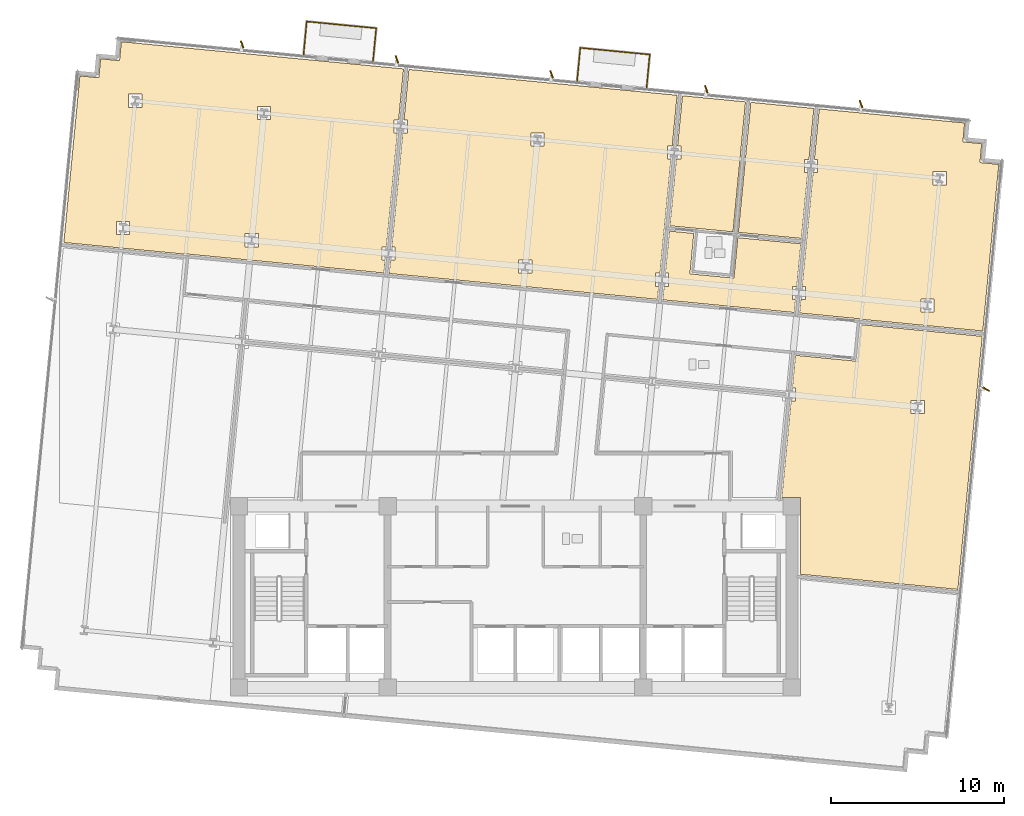
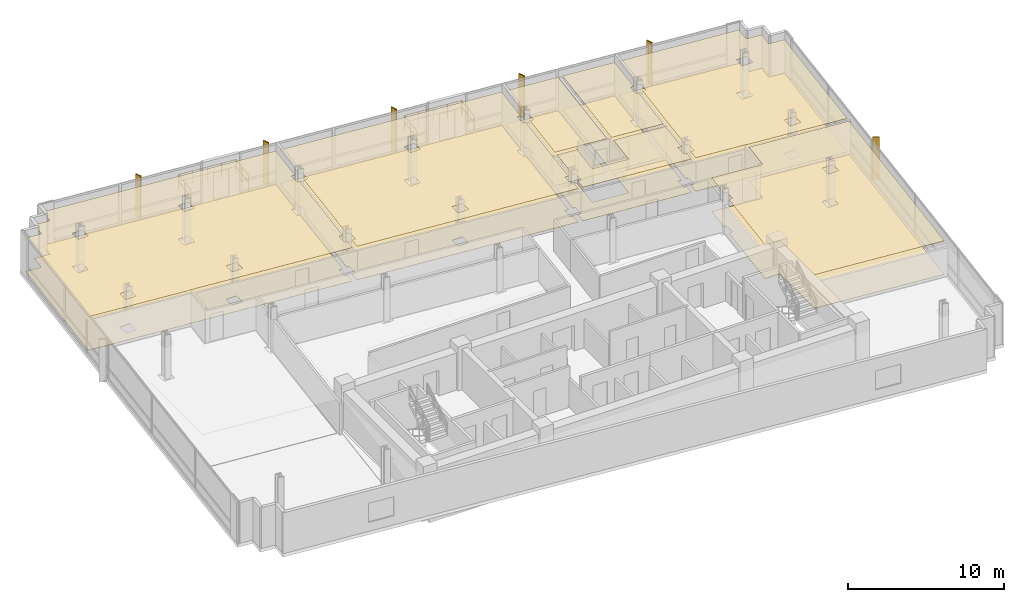
# One storey, part 15 of 16: 14 coverings, 6 railings, 6 shading devices.
"""IFC4 building model written with IfcOpenShell, lengths in metres."""

from ifc_helpers import new_model, si_unit, direction, frame, origin, origin_2d, place, context, subcontext, project, spatial, polyline, rectangle, circle, outline, extrude, material, layer, layer_set, type_object, element, save


model = new_model("IFC4")

# Units and contexts
model_context = context("Model", 3, precision=1e-05, world=origin(), true_north=direction((0.0, 1.0)))
body_context = subcontext(model_context, "Body", "Model", "MODEL_VIEW")
ifc_project = project(units=[si_unit("LENGTHUNIT", "METRE"), si_unit("AREAUNIT", "SQUARE_METRE"), si_unit("VOLUMEUNIT", "CUBIC_METRE"), si_unit("PLANEANGLEUNIT", "RADIAN"), si_unit("MASSUNIT", "GRAM", prefix="KILO")], contexts=[model_context])

# Site, building, storey
site_placement = place(None, origin())
site = spatial("IfcSite", under=ifc_project, at=site_placement, CompositionType="ELEMENT")
building_placement = place(site_placement, origin())
building = spatial("IfcBuilding", under=site, at=building_placement, Name="Solmavex Isthmus Hotel", CompositionType="ELEMENT")
storey_placement = place(building_placement, frame((0.0, 0.0, 166.949951171875)))
storey = spatial("IfcBuildingStorey", under=building, at=storey_placement, Name="L45", CompositionType="ELEMENT", Elevation=166.949951171875)

# Coverings
ifc_material_1 = material(Name="Gypsum plasterboard lining", Category="gypsum")
ifc_layer_1 = layer(ifc_material_1, 0.030029296875)
ifc_layer_set_1 = layer_set([ifc_layer_1], Name="Gypsum plasterboard lining")
covering_type_1 = type_object("IfcCoveringType", Name="COV-CEIL-GYP", PredefinedType="CEILING", material=ifc_layer_set_1)
covering_1_placement = place(storey_placement, frame((0.0, 0.0, 2.6201171875)))
element("IfcCovering", 1, at=covering_1_placement, inside=storey, type_object=covering_type_1, Name="Suspended Acoustic Ceiling L45-RM01", PredefinedType="CEILING", context=body_context, shape_type="SweptSolid", body=[
    extrude(outline(polyline([(-19.121337890625, 12.088623046875), (-19.119384765625, 12.1083984375), (-7.61669921875, 11.000732421875), (-7.544189453125, 11.753662109375), (-7.73193359375, 11.753662109375), (-7.73193359375, 12.513671875), (-7.470947265625, 12.513671875), (-6.835693359375, 19.111572265625), (-7.0234375, 19.111572265625), (-7.0234375, 19.87158203125), (-6.762451171875, 19.87158203125), (-6.47900390625, 22.816162109375), (-21.99609375, 24.310302734375), (-22.8173828125, 24.389404296875), (-22.9228515625, 23.29443359375), (-24.017822265625, 23.39990234375), (-24.123291015625, 22.304931640625), (-25.218017578125, 22.410400390625), (-25.297119140625, 21.589111328125), (-26.14697265625, 12.764892578125), (-19.121337890625, 12.088623046875)]), holes=[polyline([(-14.942626953125, 19.874267578125), (-14.942626953125, 20.63427734375), (-14.1826171875, 20.63427734375), (-14.1826171875, 19.874267578125), (-14.942626953125, 19.874267578125)]), polyline([(-15.651123046875, 12.51611328125), (-15.651123046875, 13.276123046875), (-14.89111328125, 13.276123046875), (-14.89111328125, 12.51611328125), (-15.651123046875, 12.51611328125)]), polyline([(-22.396240234375, 20.591796875), (-22.396240234375, 21.351806640625), (-21.63623046875, 21.351806640625), (-21.63623046875, 20.591796875), (-22.396240234375, 20.591796875)]), polyline([(-23.104736328125, 13.23388671875), (-23.104736328125, 13.993896484375), (-22.3447265625, 13.993896484375), (-22.3447265625, 13.23388671875), (-23.104736328125, 13.23388671875)])]), origin(), (0.0, 0.0, 1.0), 0.030029296875),
])
covering_2_placement = place(storey_placement, frame((0.0, 0.0, 2.6201171875)))
element("IfcCovering", 2, at=covering_2_placement, inside=storey, type_object=covering_type_1, Name="Suspended Acoustic Ceiling L45-RM02", PredefinedType="CEILING", context=body_context, shape_type="SweptSolid", body=[
    extrude(outline(polyline([(-7.159423828125, 12.513671875), (-6.971923828125, 12.513671875), (-6.971923828125, 11.753662109375), (-7.232666015625, 11.753662109375), (-7.30810546875, 10.97119140625), (4.7333984375, 9.811767578125), (5.606201171875, 9.7275390625), (8.22216796875, 9.475830078125), (8.294677734375, 10.228515625), (8.10693359375, 10.228515625), (8.10693359375, 10.988525390625), (8.36767578125, 10.988525390625), (9.003173828125, 17.586669921875), (8.8154296875, 17.586669921875), (8.8154296875, 18.346435546875), (9.076171875, 18.346435546875), (9.35986328125, 21.291015625), (-6.17041015625, 22.786376953125), (-6.450927734375, 19.87158203125), (-6.263427734375, 19.87158203125), (-6.263427734375, 19.111572265625), (-6.524169921875, 19.111572265625), (-7.0146484375, 14.017822265625), (-7.159423828125, 12.513671875)]), holes=[polyline([(0.89599609375, 18.34912109375), (0.89599609375, 19.109130859375), (1.656005859375, 19.109130859375), (1.656005859375, 18.34912109375), (0.89599609375, 18.34912109375)]), polyline([(0.1875, 10.9912109375), (0.1875, 11.751220703125), (0.947509765625, 11.751220703125), (0.947509765625, 10.9912109375), (0.1875, 10.9912109375)])]), origin(), (0.0, 0.0, 1.0), 0.030029296875),
])
covering_3_placement = place(storey_placement, frame((0.0, 0.0, 2.6201171875)))
element("IfcCovering", 3, at=covering_3_placement, inside=storey, type_object=covering_type_1, Name="Suspended Acoustic Ceiling L45-SH03-LV", PredefinedType="CEILING", context=body_context, shape_type="SweptSolid", body=[
    extrude(outline(polyline([(12.87353515625, 13.04443359375), (12.6484375, 10.705078125), (10.10009765625, 10.950439453125), (10.325439453125, 13.289794921875), (8.913818359375, 13.425537109375), (8.67919921875, 10.988525390625), (8.866943359375, 10.988525390625), (8.866943359375, 10.228515625), (8.60595703125, 10.228515625), (8.53076171875, 9.446044921875), (16.1416015625, 8.713134765625), (16.2138671875, 9.466064453125), (16.0263671875, 9.466064453125), (16.0263671875, 10.22607421875), (16.287109375, 10.22607421875), (16.524658203125, 12.69287109375), (12.87353515625, 13.04443359375)])), origin(), (0.0, 0.0, 1.0), 0.030029296875),
])
covering_4_placement = place(storey_placement, frame((0.0, 0.0, 2.6201171875)))
element("IfcCovering", 4, at=covering_4_placement, inside=storey, type_object=covering_type_1, Name="Suspended Acoustic Ceiling L45-HB03", PredefinedType="CEILING", context=body_context, shape_type="SweptSolid", body=[
    extrude(outline(polyline([(9.3876953125, 18.346435546875), (9.575439453125, 18.346435546875), (9.575439453125, 17.586669921875), (9.314453125, 17.586669921875), (8.943603515625, 13.734130859375), (12.5947265625, 13.382568359375), (13.319580078125, 20.909912109375), (9.66845703125, 21.261474609375), (9.3876953125, 18.346435546875)])), origin(), (0.0, 0.0, 1.0), 0.030029296875),
])
covering_5_placement = place(storey_placement, frame((0.0, 0.0, 2.6201171875)))
element("IfcCovering", 5, at=covering_5_placement, inside=storey, type_object=covering_type_1, Name="Suspended Acoustic Ceiling L45-HP03", PredefinedType="CEILING", context=body_context, shape_type="SweptSolid", body=[
    extrude(outline(polyline([(16.92236328125, 16.823974609375), (16.73486328125, 16.823974609375), (16.73486328125, 17.583984375), (16.99560546875, 17.583984375), (17.279052734375, 20.528564453125), (13.628173828125, 20.880126953125), (12.9033203125, 13.35302734375), (16.554443359375, 13.00146484375), (16.92236328125, 16.823974609375)])), origin(), (0.0, 0.0, 1.0), 0.030029296875),
])
covering_6_placement = place(storey_placement, frame((0.0, 0.0, 2.6201171875)))
element("IfcCovering", 6, at=covering_6_placement, inside=storey, type_object=covering_type_1, Name="Suspended Acoustic Ceiling L45-RM04", PredefinedType="CEILING", context=body_context, shape_type="SweptSolid", body=[
    extrude(outline(polyline([(17.30712890625, 17.583984375), (17.494873046875, 17.583984375), (17.494873046875, 16.823974609375), (17.23388671875, 16.823974609375), (17.139404296875, 15.841552734375), (16.5986328125, 10.22607421875), (16.786376953125, 10.22607421875), (16.786376953125, 9.466064453125), (16.525390625, 9.466064453125), (16.449951171875, 8.68359375), (20.033447265625, 8.33837890625), (20.031494140625, 8.318603515625), (27.05712890625, 7.64208984375), (27.90673828125, 16.46630859375), (27.98583984375, 17.287353515625), (26.890869140625, 17.392822265625), (26.996337890625, 18.48779296875), (25.9013671875, 18.59326171875), (26.0068359375, 19.688232421875), (25.185546875, 19.767333984375), (17.587646484375, 20.498779296875), (17.30712890625, 17.583984375)]), holes=[polyline([(24.188232421875, 16.106201171875), (24.188232421875, 16.8662109375), (24.9482421875, 16.8662109375), (24.9482421875, 16.106201171875), (24.188232421875, 16.106201171875)]), polyline([(23.479736328125, 8.748291015625), (23.479736328125, 9.50830078125), (24.23974609375, 9.50830078125), (24.23974609375, 8.748291015625), (23.479736328125, 8.748291015625)])]), origin(), (0.0, 0.0, 1.0), 0.030029296875),
])
covering_7_placement = place(storey_placement, frame((0.0, 0.0, 2.6201171875)))
element("IfcCovering", 7, at=covering_7_placement, inside=storey, type_object=covering_type_1, Name="Suspended Acoustic Ceiling L45-FL09", PredefinedType="CEILING", context=body_context, shape_type="SweptSolid", body=[
    extrude(outline(polyline([(16.0322265625, 4.34521484375), (16.219970703125, 4.34521484375), (16.219970703125, 3.585205078125), (15.959228515625, 3.585205078125), (15.421875, -1.9951171875), (16.5048828125, -1.9951171875), (16.5048828125, -6.44140625), (25.616455078125, -7.31884765625), (25.99462890625, -3.391845703125), (26.603271484375, 2.928955078125), (27.02734375, 7.33349609375), (20.001953125, 8.010009765625), (19.797607421875, 5.8896484375), (16.21435546875, 6.23486328125), (16.0322265625, 4.34521484375)]), holes=[polyline([(22.91357421875, 2.867431640625), (22.91357421875, 3.62744140625), (23.673583984375, 3.62744140625), (23.673583984375, 2.867431640625), (22.91357421875, 2.867431640625)])]), origin(), (0.0, 0.0, 1.0), 0.030029296875),
])
ifc_material_2 = material(Name="Travertine natural stone", Category="masonry")
ifc_layer_2 = layer(ifc_material_2, 0.02490234375)
ifc_layer_set_2 = layer_set([ifc_layer_2], Name="Travertine natural stone")
covering_type_2 = type_object("IfcCoveringType", Name="COV-FLOR-STN", PredefinedType="FLOORING", material=ifc_layer_set_2)
covering_8_placement = place(storey_placement, origin())
element("IfcCovering", 8, at=covering_8_placement, inside=storey, type_object=covering_type_2, Name="Stone and Timber Floor Finish L45-RM01", PredefinedType="FLOORING", context=body_context, shape_type="SweptSolid", body=[
    extrude(outline(polyline([(-19.121337890625, 12.088623046875), (-19.119384765625, 12.1083984375), (-7.61669921875, 11.000732421875), (-7.544189453125, 11.753662109375), (-7.73193359375, 11.753662109375), (-7.73193359375, 12.513671875), (-7.470947265625, 12.513671875), (-6.835693359375, 19.111572265625), (-7.0234375, 19.111572265625), (-7.0234375, 19.87158203125), (-6.762451171875, 19.87158203125), (-6.47900390625, 22.816162109375), (-21.99609375, 24.310302734375), (-22.8173828125, 24.389404296875), (-22.9228515625, 23.29443359375), (-24.017822265625, 23.39990234375), (-24.123291015625, 22.304931640625), (-25.218017578125, 22.410400390625), (-25.297119140625, 21.589111328125), (-26.14697265625, 12.764892578125), (-19.121337890625, 12.088623046875)]), holes=[polyline([(-14.942626953125, 19.874267578125), (-14.942626953125, 20.63427734375), (-14.1826171875, 20.63427734375), (-14.1826171875, 19.874267578125), (-14.942626953125, 19.874267578125)]), polyline([(-15.651123046875, 12.51611328125), (-15.651123046875, 13.276123046875), (-14.89111328125, 13.276123046875), (-14.89111328125, 12.51611328125), (-15.651123046875, 12.51611328125)]), polyline([(-22.396240234375, 20.591796875), (-22.396240234375, 21.351806640625), (-21.63623046875, 21.351806640625), (-21.63623046875, 20.591796875), (-22.396240234375, 20.591796875)]), polyline([(-23.104736328125, 13.23388671875), (-23.104736328125, 13.993896484375), (-22.3447265625, 13.993896484375), (-22.3447265625, 13.23388671875), (-23.104736328125, 13.23388671875)])]), origin(), (0.0, 0.0, 1.0), 0.025146484375),
])
covering_9_placement = place(storey_placement, origin())
element("IfcCovering", 9, at=covering_9_placement, inside=storey, type_object=covering_type_2, Name="Stone and Timber Floor Finish L45-RM02", PredefinedType="FLOORING", context=body_context, shape_type="SweptSolid", body=[
    extrude(outline(polyline([(-7.159423828125, 12.513671875), (-6.971923828125, 12.513671875), (-6.971923828125, 11.753662109375), (-7.232666015625, 11.753662109375), (-7.30810546875, 10.97119140625), (4.7333984375, 9.811767578125), (5.606201171875, 9.7275390625), (8.22216796875, 9.475830078125), (8.294677734375, 10.228515625), (8.10693359375, 10.228515625), (8.10693359375, 10.988525390625), (8.36767578125, 10.988525390625), (9.003173828125, 17.586669921875), (8.8154296875, 17.586669921875), (8.8154296875, 18.346435546875), (9.076171875, 18.346435546875), (9.35986328125, 21.291015625), (-6.17041015625, 22.786376953125), (-6.450927734375, 19.87158203125), (-6.263427734375, 19.87158203125), (-6.263427734375, 19.111572265625), (-6.524169921875, 19.111572265625), (-7.0146484375, 14.017822265625), (-7.159423828125, 12.513671875)]), holes=[polyline([(0.89599609375, 18.34912109375), (0.89599609375, 19.109130859375), (1.656005859375, 19.109130859375), (1.656005859375, 18.34912109375), (0.89599609375, 18.34912109375)]), polyline([(0.1875, 10.9912109375), (0.1875, 11.751220703125), (0.947509765625, 11.751220703125), (0.947509765625, 10.9912109375), (0.1875, 10.9912109375)])]), origin(), (0.0, 0.0, 1.0), 0.025146484375),
])
covering_10_placement = place(storey_placement, origin())
element("IfcCovering", 10, at=covering_10_placement, inside=storey, type_object=covering_type_2, Name="Stone and Timber Floor Finish L45-SH03-LV", PredefinedType="FLOORING", context=body_context, shape_type="SweptSolid", body=[
    extrude(outline(polyline([(12.87353515625, 13.04443359375), (12.6484375, 10.705078125), (10.10009765625, 10.950439453125), (10.325439453125, 13.289794921875), (8.913818359375, 13.425537109375), (8.67919921875, 10.988525390625), (8.866943359375, 10.988525390625), (8.866943359375, 10.228515625), (8.60595703125, 10.228515625), (8.53076171875, 9.446044921875), (16.1416015625, 8.713134765625), (16.2138671875, 9.466064453125), (16.0263671875, 9.466064453125), (16.0263671875, 10.22607421875), (16.287109375, 10.22607421875), (16.524658203125, 12.69287109375), (12.87353515625, 13.04443359375)])), origin(), (0.0, 0.0, 1.0), 0.025146484375),
])
covering_11_placement = place(storey_placement, origin())
element("IfcCovering", 11, at=covering_11_placement, inside=storey, type_object=covering_type_2, Name="Stone and Timber Floor Finish L45-HB03", PredefinedType="FLOORING", context=body_context, shape_type="SweptSolid", body=[
    extrude(outline(polyline([(9.3876953125, 18.346435546875), (9.575439453125, 18.346435546875), (9.575439453125, 17.586669921875), (9.314453125, 17.586669921875), (8.943603515625, 13.734130859375), (12.5947265625, 13.382568359375), (13.319580078125, 20.909912109375), (9.66845703125, 21.261474609375), (9.3876953125, 18.346435546875)])), origin(), (0.0, 0.0, 1.0), 0.025146484375),
])
covering_12_placement = place(storey_placement, origin())
element("IfcCovering", 12, at=covering_12_placement, inside=storey, type_object=covering_type_2, Name="Stone and Timber Floor Finish L45-HP03", PredefinedType="FLOORING", context=body_context, shape_type="SweptSolid", body=[
    extrude(outline(polyline([(16.92236328125, 16.823974609375), (16.73486328125, 16.823974609375), (16.73486328125, 17.583984375), (16.99560546875, 17.583984375), (17.279052734375, 20.528564453125), (13.628173828125, 20.880126953125), (12.9033203125, 13.35302734375), (16.554443359375, 13.00146484375), (16.92236328125, 16.823974609375)])), origin(), (0.0, 0.0, 1.0), 0.025146484375),
])
covering_13_placement = place(storey_placement, origin())
element("IfcCovering", 13, at=covering_13_placement, inside=storey, type_object=covering_type_2, Name="Stone and Timber Floor Finish L45-RM04", PredefinedType="FLOORING", context=body_context, shape_type="SweptSolid", body=[
    extrude(outline(polyline([(17.30712890625, 17.583984375), (17.494873046875, 17.583984375), (17.494873046875, 16.823974609375), (17.23388671875, 16.823974609375), (17.139404296875, 15.841552734375), (16.5986328125, 10.22607421875), (16.786376953125, 10.22607421875), (16.786376953125, 9.466064453125), (16.525390625, 9.466064453125), (16.449951171875, 8.68359375), (20.033447265625, 8.33837890625), (20.031494140625, 8.318603515625), (27.05712890625, 7.64208984375), (27.90673828125, 16.46630859375), (27.98583984375, 17.287353515625), (26.890869140625, 17.392822265625), (26.996337890625, 18.48779296875), (25.9013671875, 18.59326171875), (26.0068359375, 19.688232421875), (25.185546875, 19.767333984375), (17.587646484375, 20.498779296875), (17.30712890625, 17.583984375)]), holes=[polyline([(24.188232421875, 16.106201171875), (24.188232421875, 16.8662109375), (24.9482421875, 16.8662109375), (24.9482421875, 16.106201171875), (24.188232421875, 16.106201171875)]), polyline([(23.479736328125, 8.748291015625), (23.479736328125, 9.50830078125), (24.23974609375, 9.50830078125), (24.23974609375, 8.748291015625), (23.479736328125, 8.748291015625)])]), origin(), (0.0, 0.0, 1.0), 0.025146484375),
])
covering_14_placement = place(storey_placement, origin())
element("IfcCovering", 14, at=covering_14_placement, inside=storey, type_object=covering_type_2, Name="Stone and Timber Floor Finish L45-FL09", PredefinedType="FLOORING", context=body_context, shape_type="SweptSolid", body=[
    extrude(outline(polyline([(16.0322265625, 4.34521484375), (16.219970703125, 4.34521484375), (16.219970703125, 3.585205078125), (15.959228515625, 3.585205078125), (15.421875, -1.9951171875), (16.5048828125, -1.9951171875), (16.5048828125, -6.44140625), (25.616455078125, -7.31884765625), (25.99462890625, -3.391845703125), (26.603271484375, 2.928955078125), (27.02734375, 7.33349609375), (20.001953125, 8.010009765625), (19.797607421875, 5.8896484375), (16.21435546875, 6.23486328125), (16.0322265625, 4.34521484375)]), holes=[polyline([(22.91357421875, 2.867431640625), (22.91357421875, 3.62744140625), (23.673583984375, 3.62744140625), (23.673583984375, 2.867431640625), (22.91357421875, 2.867431640625)])]), origin(), (0.0, 0.0, 1.0), 0.025146484375),
])

# Railings
ifc_material_3 = material(Name="Clear low-E laminated glass", Category="glass")
ifc_layer_3 = layer(ifc_material_3, 0.070068359375)
ifc_layer_set_3 = layer_set([ifc_layer_3], Name="Clear low-E laminated glass")
railing_type = type_object("IfcRailingType", Name="RAIL-GUARD-1100", PredefinedType="BALUSTRADE", material=ifc_layer_set_3)
railing_1_placement = place(storey_placement, frame((-12.268798828125, 23.64990234375, 0.0)))
element("IfcRailing", 15, at=railing_1_placement, inside=storey, type_object=railing_type, Name="Guardrail Balustrade L45-BAL1-01", PredefinedType="BALUSTRADE", context=body_context, shape_type="SweptSolid", body=[
    extrude(circle(Radius=0.02392578125, at=origin_2d()), frame((0.0, 0.0, 1.09619140625), z_axis=(0.095877165628, 0.995393173129, 0.0), x_axis=(-0.995393173129, 0.095877165628, 0.0)), (0.0, 0.0, 1.0), 1.919921875),
    extrude(circle(Radius=0.02392578125, at=origin_2d()), frame((0.0, 0.0, 0.56005859375), z_axis=(0.095877165628, 0.995393173129, 0.0), x_axis=(-0.995393173129, 0.095877165628, 0.0)), (0.0, 0.0, 1.0), 1.919921875),
    extrude(circle(Radius=0.02099609375, at=origin_2d()), origin(), (0.0, 0.0, 1.0), 1.072021484375),
    extrude(circle(Radius=0.02099609375, at=origin_2d()), frame((0.092041015625, 0.95556640625, 0.0)), (0.0, 0.0, 1.0), 1.072021484375),
    extrude(circle(Radius=0.02099609375, at=origin_2d()), frame((0.18408203125, 1.9111328125, 0.0)), (0.0, 0.0, 1.0), 1.072021484375),
])
railing_2_placement = place(storey_placement, frame((-12.084716796875, 25.56103515625, 0.0)))
element("IfcRailing", 16, at=railing_2_placement, inside=storey, type_object=railing_type, Name="Guardrail Balustrade L45-BAL1-02", PredefinedType="BALUSTRADE", context=body_context, shape_type="SweptSolid", body=[
    extrude(circle(Radius=0.02392578125, at=origin_2d()), frame((0.0, 0.0, 1.09619140625), z_axis=(0.995396620385, -0.095841369593, 0.0), x_axis=(0.095841369593, 0.995396620385, 0.0)), (0.0, 0.0, 1.0), 4.0400390625),
    extrude(circle(Radius=0.02392578125, at=origin_2d()), frame((0.0, 0.0, 0.56005859375), z_axis=(0.995396620385, -0.095841369593, 0.0), x_axis=(0.095841369593, 0.995396620385, 0.0)), (0.0, 0.0, 1.0), 4.0400390625),
    extrude(circle(Radius=0.02099609375, at=origin_2d()), origin(), (0.0, 0.0, 1.0), 1.072021484375),
    extrude(circle(Radius=0.02099609375, at=origin_2d()), frame((1.00537109375, -0.0966796875, 0.0)), (0.0, 0.0, 1.0), 1.072021484375),
    extrude(circle(Radius=0.02099609375, at=origin_2d()), frame((2.0107421875, -0.193603515625, 0.0)), (0.0, 0.0, 1.0), 1.072021484375),
    extrude(circle(Radius=0.02099609375, at=origin_2d()), frame((3.01611328125, -0.29052734375, 0.0)), (0.0, 0.0, 1.0), 1.072021484375),
    extrude(circle(Radius=0.02099609375, at=origin_2d()), frame((4.021484375, -0.38720703125, 0.0)), (0.0, 0.0, 1.0), 1.072021484375),
])
railing_3_placement = place(storey_placement, frame((-8.063232421875, 25.173828125, 0.0)))
element("IfcRailing", 17, at=railing_3_placement, inside=storey, type_object=railing_type, Name="Guardrail Balustrade L45-BAL1-03", PredefinedType="BALUSTRADE", context=body_context, shape_type="SweptSolid", body=[
    extrude(circle(Radius=0.02392578125, at=origin_2d()), frame((0.0, 0.0, 1.09619140625), z_axis=(-0.095877165628, -0.995393173129, 0.0), x_axis=(0.995393173129, -0.095877165628, 0.0)), (0.0, 0.0, 1.0), 1.919921875),
    extrude(circle(Radius=0.02392578125, at=origin_2d()), frame((0.0, 0.0, 0.56005859375), z_axis=(-0.095877165628, -0.995393173129, 0.0), x_axis=(0.995393173129, -0.095877165628, 0.0)), (0.0, 0.0, 1.0), 1.919921875),
    extrude(circle(Radius=0.02099609375, at=origin_2d()), origin(), (0.0, 0.0, 1.0), 1.072021484375),
    extrude(circle(Radius=0.02099609375, at=origin_2d()), frame((-0.092041015625, -0.95556640625, 0.0)), (0.0, 0.0, 1.0), 1.072021484375),
    extrude(circle(Radius=0.02099609375, at=origin_2d()), frame((-0.18408203125, -1.9111328125, 0.0)), (0.0, 0.0, 1.0), 1.072021484375),
])
railing_4_placement = place(storey_placement, frame((3.570068359375, 22.124755859375, 0.0)))
element("IfcRailing", 18, at=railing_4_placement, inside=storey, type_object=railing_type, Name="Guardrail Balustrade L45-BAL2-01", PredefinedType="BALUSTRADE", context=body_context, shape_type="SweptSolid", body=[
    extrude(circle(Radius=0.02392578125, at=origin_2d()), frame((0.0, 0.0, 1.09619140625), z_axis=(0.095865031769, 0.995394341798, 0.0), x_axis=(-0.995394341798, 0.095865031769, 0.0)), (0.0, 0.0, 1.0), 1.920166015625),
    extrude(circle(Radius=0.02392578125, at=origin_2d()), frame((0.0, 0.0, 0.56005859375), z_axis=(0.095865031769, 0.995394341798, 0.0), x_axis=(-0.995394341798, 0.095865031769, 0.0)), (0.0, 0.0, 1.0), 1.920166015625),
    extrude(circle(Radius=0.02099609375, at=origin_2d()), origin(), (0.0, 0.0, 1.0), 1.072021484375),
    extrude(circle(Radius=0.02099609375, at=origin_2d()), frame((0.092041015625, 0.95556640625, 0.0)), (0.0, 0.0, 1.0), 1.072021484375),
    extrude(circle(Radius=0.02099609375, at=origin_2d()), frame((0.18408203125, 1.911376953125, 0.0)), (0.0, 0.0, 1.0), 1.072021484375),
])
railing_5_placement = place(storey_placement, frame((3.754150390625, 24.0361328125, 0.0)))
element("IfcRailing", 19, at=railing_5_placement, inside=storey, type_object=railing_type, Name="Guardrail Balustrade L45-BAL2-02", PredefinedType="BALUSTRADE", context=body_context, shape_type="SweptSolid", body=[
    extrude(circle(Radius=0.02392578125, at=origin_2d()), frame((0.0, 0.0, 1.09619140625), z_axis=(0.995396065255, -0.095847134934, 0.0), x_axis=(0.095847134934, 0.995396065255, 0.0)), (0.0, 0.0, 1.0), 4.039794921875),
    extrude(circle(Radius=0.02392578125, at=origin_2d()), frame((0.0, 0.0, 0.56005859375), z_axis=(0.995396065255, -0.095847134934, 0.0), x_axis=(0.095847134934, 0.995396065255, 0.0)), (0.0, 0.0, 1.0), 4.039794921875),
    extrude(circle(Radius=0.02099609375, at=origin_2d()), origin(), (0.0, 0.0, 1.0), 1.072021484375),
    extrude(circle(Radius=0.02099609375, at=origin_2d()), frame((1.00537109375, -0.0966796875, 0.0)), (0.0, 0.0, 1.0), 1.072021484375),
    extrude(circle(Radius=0.02099609375, at=origin_2d()), frame((2.0107421875, -0.193603515625, 0.0)), (0.0, 0.0, 1.0), 1.072021484375),
    extrude(circle(Radius=0.02099609375, at=origin_2d()), frame((3.015869140625, -0.29052734375, 0.0)), (0.0, 0.0, 1.0), 1.072021484375),
    extrude(circle(Radius=0.02099609375, at=origin_2d()), frame((4.021240234375, -0.38720703125, 0.0)), (0.0, 0.0, 1.0), 1.072021484375),
])
railing_6_placement = place(storey_placement, frame((7.775390625, 23.64892578125, 0.0)))
element("IfcRailing", 20, at=railing_6_placement, inside=storey, type_object=railing_type, Name="Guardrail Balustrade L45-BAL2-03", PredefinedType="BALUSTRADE", context=body_context, shape_type="SweptSolid", body=[
    extrude(circle(Radius=0.02392578125, at=origin_2d()), frame((0.0, 0.0, 1.09619140625), z_axis=(-0.095739055962, -0.995406466306, 0.0), x_axis=(0.995406466306, -0.095739055962, 0.0)), (0.0, 0.0, 1.0), 1.920166015625),
    extrude(circle(Radius=0.02392578125, at=origin_2d()), frame((0.0, 0.0, 0.56005859375), z_axis=(-0.095739055962, -0.995406466306, 0.0), x_axis=(0.995406466306, -0.095739055962, 0.0)), (0.0, 0.0, 1.0), 1.920166015625),
    extrude(circle(Radius=0.02099609375, at=origin_2d()), origin(), (0.0, 0.0, 1.0), 1.072021484375),
    extrude(circle(Radius=0.02099609375, at=origin_2d()), frame((-0.091796875, -0.95556640625, 0.0)), (0.0, 0.0, 1.0), 1.072021484375),
    extrude(circle(Radius=0.02099609375, at=origin_2d()), frame((-0.183837890625, -1.911376953125, 0.0)), (0.0, 0.0, 1.0), 1.072021484375),
])

# Shading devices
ifc_material_4 = material(Name="Aluminium alloy 6063-T6", Category="aluminium")
shading_device_type = type_object("IfcShadingDeviceType", Name="SHD-FIN-BRONZE", PredefinedType="USERDEFINED", material=ifc_material_4)
for number, where, z_axis, x_axis, name in (
    (21, (-15.8251953125, 24.2333984375, -0.139892578125), (0.0, 0.0, 1.0), (-0.350207381259, 0.936672189248, 0.0), "Anodised Aluminium Solar Fin L45-N1"),
    (22, (-6.866455078125, 23.370849609375, -0.139892578125), (0.0, 0.0, 1.0), (-0.350207381259, 0.936672189248, 0.0), "Anodised Aluminium Solar Fin L45-N2"),
    (23, (2.092041015625, 22.50830078125, -0.139892578125), (0.0, 0.0, 1.0), (-0.350207381259, 0.936672189248, 0.0), "Anodised Aluminium Solar Fin L45-N3"),
    (24, (11.050537109375, 21.645751953125, -0.139892578125), (0.0, 0.0, 1.0), (-0.350207381259, 0.936672189248, 0.0), "Anodised Aluminium Solar Fin L45-N4"),
    (25, (20.009033203125, 20.782958984375, -0.139892578125), (0.0, 0.0, 1.0), (-0.350207381259, 0.936672189248, 0.0), "Anodised Aluminium Solar Fin L45-N5"),
    (26, (27.25, 4.27294921875, -0.139892578125), (0.0, 0.0, 1.0), (0.87035569594, -0.492423560103, 0.0), "Anodised Aluminium Solar Fin L45-E1"),
):
    element("IfcShadingDevice", number, at=place(storey_placement, frame(where, z_axis=z_axis, x_axis=x_axis)), inside=storey, type_object=shading_device_type, Name=name, ObjectType="SOLAR_FIN", PredefinedType="USERDEFINED", context=body_context, shape_type="SweptSolid", body=[
        extrude(rectangle(XDim=0.449951171875, YDim=0.080078125, at=origin_2d()), origin(), (0.0, 0.0, 1.0), 3.330078125),
    ])

save(model, "model.ifc")
